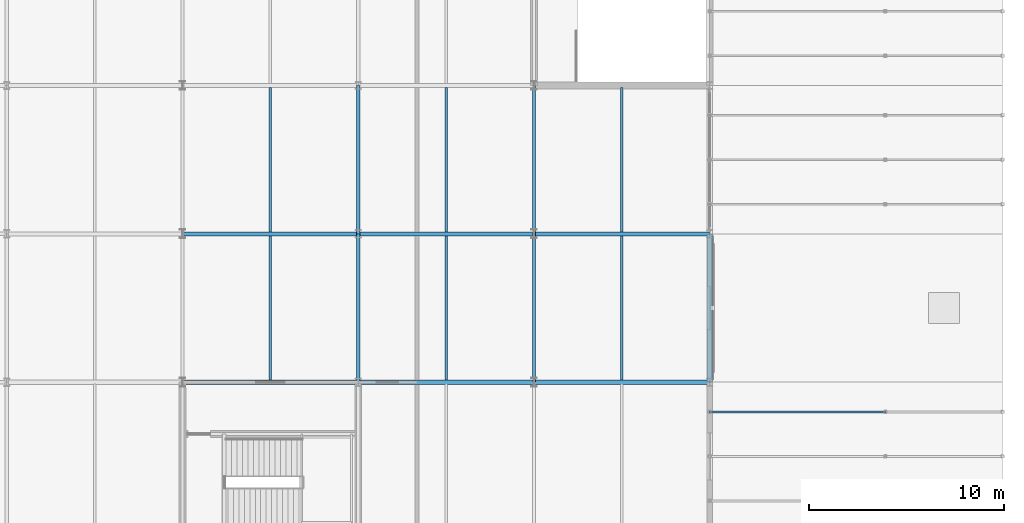
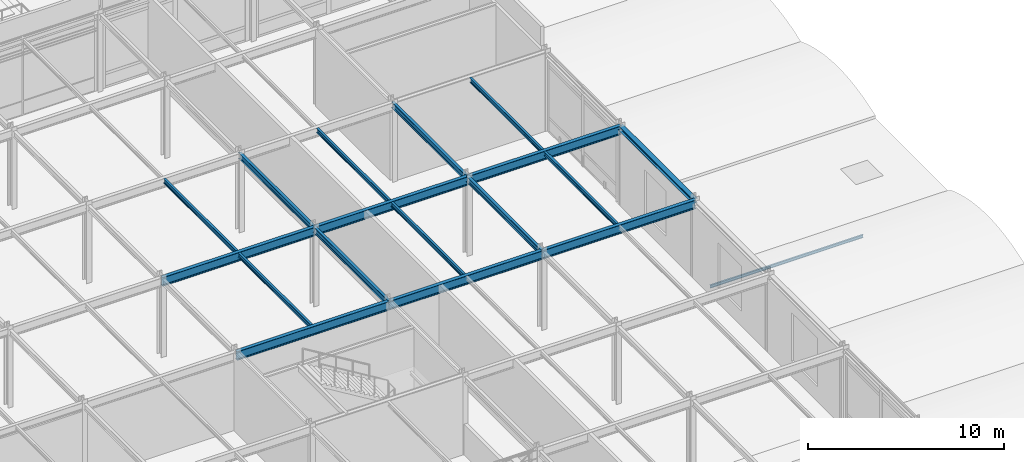
# One storey, part 68 of 113: 17 beams, 1 member.
"""IFC4 building model written with IfcOpenShell, lengths in metres."""

from ifc_helpers import new_model, si_unit, direction, frame, origin, origin_2d, place, context, subcontext, project, spatial, i_section, extrude, material, material_profile, profile_set, type_object, element, save


model = new_model("IFC4")

# Units and contexts
model_context = context("Model", 3, precision=1e-05, world=origin(), true_north=direction((0.0, 1.0)))
body_context = subcontext(model_context, "Body", "Model", "MODEL_VIEW")
ifc_project = project(units=[si_unit("LENGTHUNIT", "METRE"), si_unit("AREAUNIT", "SQUARE_METRE"), si_unit("VOLUMEUNIT", "CUBIC_METRE"), si_unit("PLANEANGLEUNIT", "RADIAN"), si_unit("MASSUNIT", "GRAM", prefix="KILO")], contexts=[model_context])

# Site, building, storey
site_placement = place(None, origin())
site = spatial("IfcSite", under=ifc_project, at=site_placement, CompositionType="ELEMENT")
building_placement = place(site_placement, origin())
building = spatial("IfcBuilding", under=site, at=building_placement, Name="Shalkamar Park Central Library", CompositionType="ELEMENT")
storey_placement = place(building_placement, frame((0.0, 0.0, 5.39990234375)))
storey = spatial("IfcBuildingStorey", under=building, at=storey_placement, Name="L02", CompositionType="ELEMENT", Elevation=5.39990234375)

# Beams
ifc_material = material(Name="Steel S355", Category="steel")
ifc_material_profile_1 = material_profile(ifc_material, i_section(OverallWidth=0.135009765625, OverallDepth=0.27001953125, WebThickness=0.006591796875, FlangeThickness=0.01025390625, FilletRadius=0.014892578125, at=origin_2d()), Name="IPE 270")
ifc_profile_set_1 = profile_set([ifc_material_profile_1], Name="Steel S355")
beam_type_1 = type_object("IfcBeamType", Name="Composite Floor Joist IPE270", PredefinedType="JOIST", material=ifc_profile_set_1)
for number, where, z_axis, x_axis, name in (
    (1, (250.5, 308.5029296875, 4.72509765625), (0.0, 1.0, 0.0), (-1.0, 0.0, 0.0), "Composite Joist 17/K-1 (L02)"),
    (2, (250.5, 316.10302734375, 4.72509765625), (0.0, 1.0, 0.0), (-1.0, 0.0, 0.0), "Composite Joist 17/L-1 (L02)"),
    (3, (259.5, 308.5029296875, 4.72509765625), (0.0, 1.0, 0.0), (-1.0, 0.0, 0.0), "Composite Joist 18/K-1 (L02)"),
    (4, (259.5, 316.10302734375, 4.715087890625), (0.0, 1.0, 0.0), (-1.0, 0.0, 0.0), "Composite Joist 18/L-1 (L02)"),
    (5, (268.5, 308.5029296875, 4.72509765625), (0.0, 1.0, 0.0), (-1.0, 0.0, 0.0), "Composite Joist 19/K-1 (L02)"),
    (6, (268.5, 316.10302734375, 4.715087890625), (0.0, 1.0, 0.0), (-1.0, 0.0, 0.0), "Composite Joist 19/L-1 (L02)"),
):
    element("IfcBeam", number, at=place(storey_placement, frame(where, z_axis=z_axis, x_axis=x_axis)), inside=storey, type_object=beam_type_1, Name=name, PredefinedType="JOIST", context=body_context, shape_type="SweptSolid", body=[
        extrude(i_section(OverallWidth=0.135009765625, OverallDepth=0.27001953125, WebThickness=0.006591796875, FlangeThickness=0.01025390625, FilletRadius=0.014892578125, at=origin_2d()), origin(), (0.0, 0.0, 1.0), 7.39404296875),
    ])
ifc_material_profile_2 = material_profile(ifc_material, i_section(OverallWidth=0.280029296875, OverallDepth=0.27001953125, WebThickness=0.008056640625, FlangeThickness=0.012939453125, FilletRadius=0.02392578125, at=origin_2d()), Name="HEA 280")
ifc_profile_set_2 = profile_set([ifc_material_profile_2], Name="Steel S355")
beam_type_2 = type_object("IfcBeamType", Name="Perimeter Spandrel Beam HEA280", PredefinedType="SPANDREL", material=ifc_profile_set_2)
beam_placement = place(storey_placement, frame((273.0, 308.39990234375, 4.72509765625), z_axis=(0.0, 1.0, 0.0), x_axis=(-1.0, 0.0, 0.0)))
element("IfcBeam", 7, at=beam_placement, inside=storey, type_object=beam_type_2, Name="Beam 20:K-L (L02)", PredefinedType="SPANDREL", context=body_context, shape_type="SweptSolid", body=[
    extrude(i_section(OverallWidth=0.280029296875, OverallDepth=0.27001953125, WebThickness=0.008056640625, FlangeThickness=0.012939453125, FilletRadius=0.02392578125, at=origin_2d()), origin(), (0.0, 0.0, 1.0), 7.60009765625),
])
ifc_material_profile_3 = material_profile(ifc_material, i_section(OverallWidth=0.169921875, OverallDepth=0.360107421875, WebThickness=0.008056640625, FlangeThickness=0.0126953125, FilletRadius=0.01806640625, at=origin_2d()), Name="IPE 360")
ifc_profile_set_3 = profile_set([ifc_material_profile_3], Name="Steel S355")
beam_type_3 = type_object("IfcBeamType", Name="Primary Girder IPE360", PredefinedType="BEAM", material=ifc_profile_set_3)
for number, where, z_axis, x_axis, name in (
    (8, (255.0, 308.39990234375, 4.68017578125), (0.0, 1.0, 0.0), (-1.0, 0.0, 0.0), "Beam 18:K-L (L02)"),
    (9, (255.0, 316.0, 4.670166015625), (0.0, 1.0, 0.0), (-1.0, 0.0, 0.0), "Beam 18:L-M (L02)"),
    (10, (264.0, 308.39990234375, 4.68017578125), (0.0, 1.0, 0.0), (-1.0, 0.0, 0.0), "Beam 19:K-L (L02)"),
    (11, (264.0, 316.0, 4.670166015625), (0.0, 1.0, 0.0), (-1.0, 0.0, 0.0), "Beam 19:L-M (L02)"),
):
    element("IfcBeam", number, at=place(storey_placement, frame(where, z_axis=z_axis, x_axis=x_axis)), inside=storey, type_object=beam_type_3, Name=name, PredefinedType="BEAM", context=body_context, shape_type="SweptSolid", body=[
        extrude(i_section(OverallWidth=0.169921875, OverallDepth=0.360107421875, WebThickness=0.008056640625, FlangeThickness=0.0126953125, FilletRadius=0.01806640625, at=origin_2d()), origin(), (0.0, 0.0, 1.0), 7.60009765625),
    ])
ifc_material_profile_4 = material_profile(ifc_material, i_section(OverallWidth=0.2099609375, OverallDepth=0.550048828125, WebThickness=0.010986328125, FlangeThickness=0.01708984375, FilletRadius=0.02392578125, at=origin_2d()), Name="IPE 550")
ifc_profile_set_4 = profile_set([ifc_material_profile_4], Name="Steel S355")
beam_type_4 = type_object("IfcBeamType", Name="Primary Girder IPE550", PredefinedType="BEAM", material=ifc_profile_set_4)
for number, where, z_axis, x_axis, name in (
    (12, (246.0, 308.39990234375, 4.585205078125), (1.0, 0.0, 0.0), (0.0, 1.0, 0.0), "Beam K:17-18 (L02)"),
    (13, (255.0, 308.39990234375, 4.585205078125), (1.0, 0.0, 0.0), (0.0, 1.0, 0.0), "Beam K:18-19 (L02)"),
    (14, (264.0, 308.39990234375, 4.585205078125), (1.0, 0.0, 0.0), (0.0, 1.0, 0.0), "Beam K:19-20 (L02)"),
    (15, (246.0, 316.0, 4.585205078125), (1.0, 0.0, 0.0), (0.0, 1.0, 0.0), "Beam L:17-18 (L02)"),
    (16, (255.0, 316.0, 4.585205078125), (1.0, 0.0, 0.0), (0.0, 1.0, 0.0), "Beam L:18-19 (L02)"),
    (17, (264.0, 316.0, 4.585205078125), (1.0, 0.0, 0.0), (0.0, 1.0, 0.0), "Beam L:19-20 (L02)"),
):
    element("IfcBeam", number, at=place(storey_placement, frame(where, z_axis=z_axis, x_axis=x_axis)), inside=storey, type_object=beam_type_4, Name=name, PredefinedType="BEAM", context=body_context, shape_type="SweptSolid", body=[
        extrude(i_section(OverallWidth=0.2099609375, OverallDepth=0.550048828125, WebThickness=0.010986328125, FlangeThickness=0.01708984375, FilletRadius=0.02392578125, at=origin_2d()), origin(), (0.0, 0.0, 1.0), 9.0),
    ])

# Member
ifc_material_profile_5 = material_profile(ifc_material, i_section(OverallWidth=0.091064453125, OverallDepth=0.179931640625, WebThickness=0.00537109375, FlangeThickness=0.008056640625, FilletRadius=0.009033203125, at=origin_2d()), Name="IPE 180")
ifc_profile_set_5 = profile_set([ifc_material_profile_5], Name="Steel S355")
member_type = type_object("IfcMemberType", Name="Roof Purlin IPE180", PredefinedType="PURLIN", material=ifc_profile_set_5)
member_placement = place(storey_placement, frame((273.0, 306.8798828125, 0.330810546875), z_axis=(1.0, 0.0, 0.0), x_axis=(0.0, 1.0, 0.0)))
element("IfcMember", 18, at=member_placement, inside=storey, type_object=member_type, Name="Barrel Roof Purlin BV-L01-E7-3.20", PredefinedType="PURLIN", context=body_context, shape_type="SweptSolid", body=[
    extrude(i_section(OverallWidth=0.091064453125, OverallDepth=0.179931640625, WebThickness=0.00537109375, FlangeThickness=0.008056640625, FilletRadius=0.009033203125, at=origin_2d()), origin(), (0.0, 0.0, 1.0), 9.0),
])

save(model, "model.ifc")
